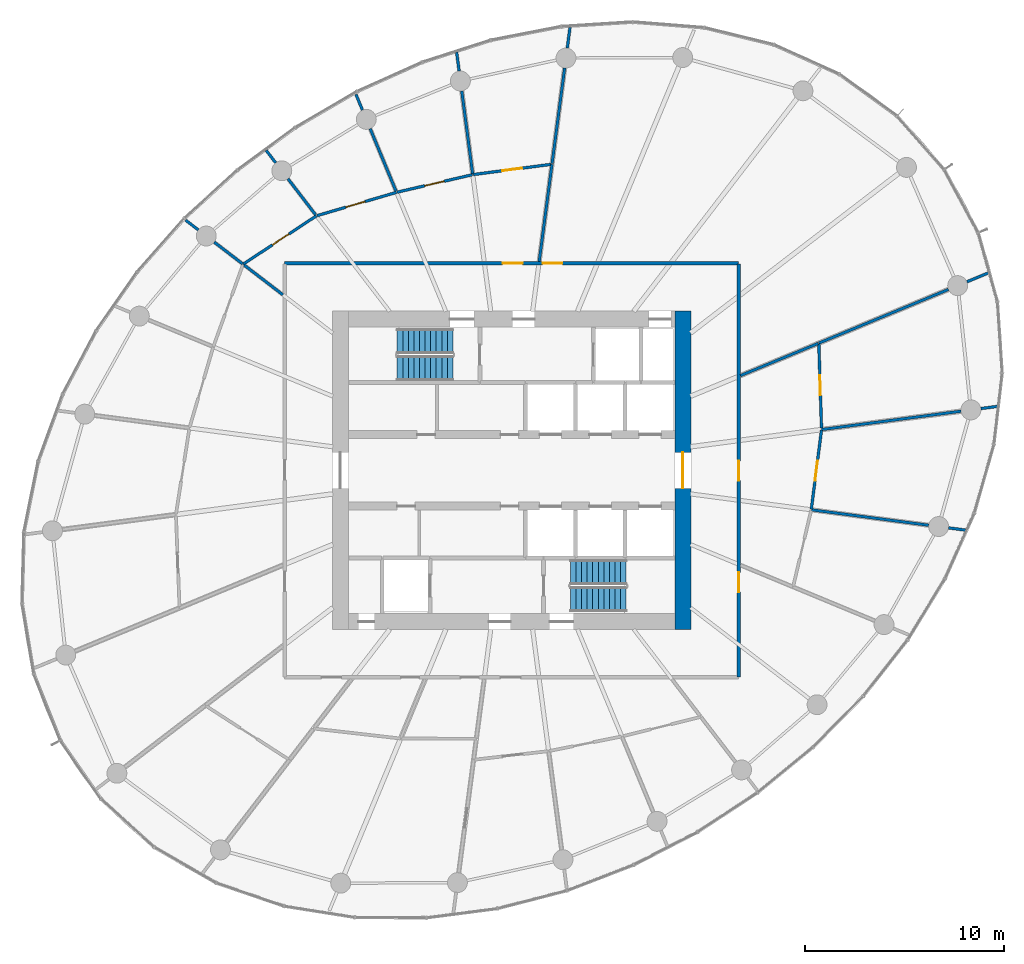
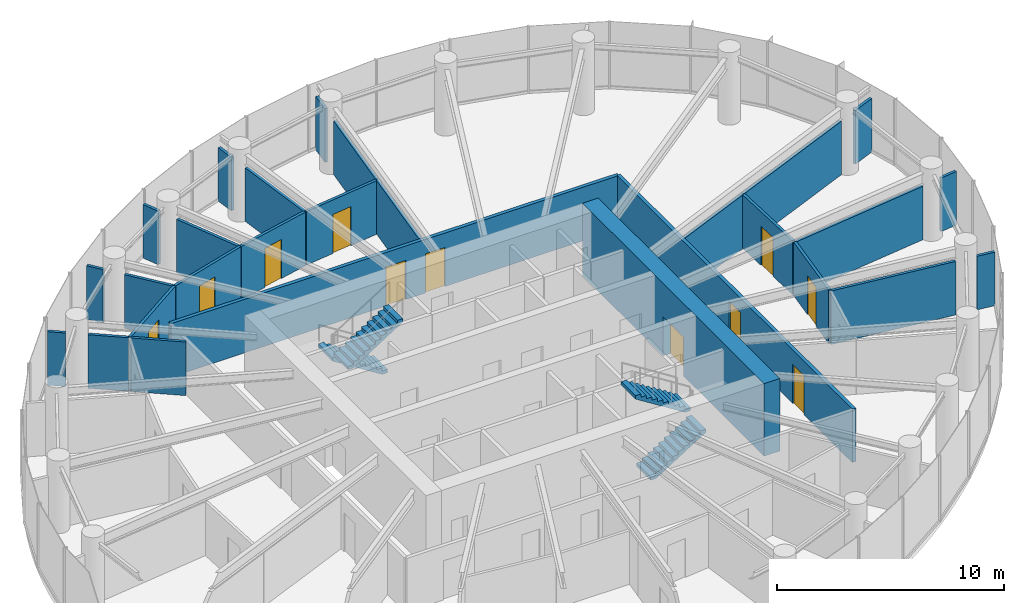
# One storey, part 11 of 14: 28 walls, 11 doors, 4 stair flights, 11 openings, 2 elements without a shape of their own.
"""IFC4 building model written with IfcOpenShell, lengths in metres."""

from ifc_helpers import new_model, si_unit, direction, frame, frame_2d, origin, place, context, subcontext, project, spatial, line, indexed_curve, rectangle, outline, extrude, source, transform, mapped, material, layer, layer_set, type_object, element, fill, aggregate, save


model = new_model("IFC4")

# Units and contexts
model_context = context("Model", 3, precision=1e-05, world=origin(), true_north=direction((0.0, 1.0)))
body_context = subcontext(model_context, "Body", "Model", "MODEL_VIEW")
ifc_project = project(units=[si_unit("LENGTHUNIT", "METRE"), si_unit("AREAUNIT", "SQUARE_METRE"), si_unit("VOLUMEUNIT", "CUBIC_METRE"), si_unit("PLANEANGLEUNIT", "RADIAN"), si_unit("MASSUNIT", "GRAM", prefix="KILO")], contexts=[model_context])

# Site, building, storey
site_placement = place(None, origin())
site = spatial("IfcSite", under=ifc_project, at=site_placement, CompositionType="ELEMENT")
building_placement = place(site_placement, origin())
building = spatial("IfcBuilding", under=site, at=building_placement, Name="Spindrift Exchange Tower", CompositionType="ELEMENT")
storey_placement = place(building_placement, frame((0.0, 0.0, 160.39990234375)))
storey = spatial("IfcBuildingStorey", under=building, at=storey_placement, Name="L38", CompositionType="ELEMENT", Elevation=160.39990234375)

# Wall, opening, door
ifc_material_1 = material(Name="Concrete 65 MPa", Category="concrete")
ifc_layer_1 = layer(ifc_material_1, 0.800048828125)
ifc_layer_set_1 = layer_set([ifc_layer_1], Name="RC Core Wall 800 Concrete 65 MPa")
wall_type_1 = type_object("IfcWallType", Name="RC Core Wall 800 Concrete 65 MPa", PredefinedType="SHEAR", material=ifc_layer_set_1)
wall_1_placement = place(storey_placement, frame((60.60009765625, 40.0, 0.0), z_axis=(0.0, 0.0, 1.0), x_axis=(0.0, 1.0, 0.0)))
wall_1 = element("IfcWall", 1, at=wall_1_placement, inside=storey, type_object=wall_type_1, Name="Core wall E L38", PredefinedType="SHEAR", context=body_context, shape_type="SweptSolid", body=[
    extrude(rectangle(XDim=16.0, YDim=0.800048828125, at=frame_2d((8.0, 0.0))), origin(), (0.0, 0.0, 1.0), 3.900146484375),
])
opening_1_placement = place(wall_1_placement, frame((7.10009765625, 0.0, 0.0)))
opening_1 = element("IfcOpeningElement", 2, at=opening_1_placement, cuts=wall_1, Name="Opening L38-D2", PredefinedType="OPENING", context=body_context, shape_type="SweptSolid", body=[
    extrude(rectangle(XDim=1.800048828125, YDim=2.10009765625, at=frame_2d((0.89990234375, 1.050048828125))), frame((0.0, 0.409912109375, 0.0), z_axis=(0.0, -1.0, 0.0), x_axis=(1.0, 0.0, 0.0)), (0.0, 0.0, 1.0), 0.820068359375),
])
ifc_material_2 = material(Name="Timber-core fire door", Category="wood")
door_type_1 = type_object("IfcDoorType", Name="DR-LOBBY-1800", OperationType="NOTDEFINED", PredefinedType="DOOR", material=ifc_material_2)
shared_shape_1 = source(origin(), body_context, "Body", "SweptSolid", [
    extrude(rectangle(XDim=1.800048828125, YDim=2.10009765625, at=frame_2d((0.89990234375, 1.050048828125))), frame((0.0, 0.02490234375, 0.0), z_axis=(0.0, -1.0, 0.0), x_axis=(1.0, 0.0, 0.0)), (0.0, 0.0, 1.0), 0.050048828125),
])
door_1_placement = place(opening_1_placement, origin())
door_1 = element("IfcDoor", 3, at=door_1_placement, inside=storey, type_object=door_type_1, Name="L38 Lobby door 2", OperationType="SINGLE_SWING_LEFT", OverallHeight=2.10009765625, OverallWidth=1.800048828125, PredefinedType="DOOR", context=body_context, shape_type="MappedRepresentation", body=[
    mapped(shared_shape_1, transform((0.0, 0.0, 0.0), scale=1.0)),
])
fill(opening_1, door_1)

# Wall, openings, doors
ifc_material_3 = material(Name="Fire-rated plasterboard partition", Category="gypsum")
ifc_layer_2 = layer(ifc_material_3, 0.179931640625)
ifc_layer_set_2 = layer_set([ifc_layer_2], Name="W-CORR-180")
wall_type_2 = type_object("IfcWallType", Name="W-CORR-180", PredefinedType="PARTITIONING", material=ifc_layer_set_2)
wall_2_placement = place(storey_placement, frame((40.60009765625, 58.39990234375, 0.0), z_axis=(0.0, 0.0, 1.0), x_axis=(1.0, 0.0, 0.0)))
wall_2 = element("IfcWall", 4, at=wall_2_placement, inside=storey, type_object=wall_type_2, Name="L38 Partition wall 27", PredefinedType="PARTITIONING", context=body_context, shape_type="SweptSolid", body=[
    extrude(rectangle(XDim=22.7998046875, YDim=0.179931640625, at=frame_2d((11.39990234375, 0.0))), origin(), (0.0, 0.0, 1.0), 2.880126953125),
])
opening_2_placement = place(wall_2_placement, frame((12.949951171875, 0.0, 0.0)))
opening_2 = element("IfcOpeningElement", 5, at=opening_2_placement, cuts=wall_2, Name="Opening L38-D31", PredefinedType="OPENING", context=body_context, shape_type="SweptSolid", body=[
    extrude(rectangle(XDim=1.0, YDim=2.10009765625, at=frame_2d((0.5, 1.050048828125))), frame((0.0, 0.099853515625, 0.0), z_axis=(0.0, -1.0, 0.0), x_axis=(1.0, 0.0, 0.0)), (0.0, 0.0, 1.0), 0.199951171875),
])
opening_3_placement = place(wall_2_placement, frame((10.949951171875, 0.0, 0.0)))
opening_3 = element("IfcOpeningElement", 6, at=opening_3_placement, cuts=wall_2, Name="Opening L38-D32", PredefinedType="OPENING", context=body_context, shape_type="SweptSolid", body=[
    extrude(rectangle(XDim=1.0, YDim=2.10009765625, at=frame_2d((0.5, 1.050048828125))), frame((0.0, 0.099853515625, 0.0), z_axis=(0.0, -1.0, 0.0), x_axis=(1.0, 0.0, 0.0)), (0.0, 0.0, 1.0), 0.199951171875),
])
door_type_2 = type_object("IfcDoorType", Name="DR-ROOM-1000", OperationType="NOTDEFINED", PredefinedType="DOOR", material=ifc_material_2)
shared_shape_2 = source(origin(), body_context, "Body", "SweptSolid", [
    extrude(rectangle(XDim=1.0, YDim=2.10009765625, at=frame_2d((0.5, 1.050048828125))), frame((0.0, 0.02490234375, 0.0), z_axis=(0.0, -1.0, 0.0), x_axis=(1.0, 0.0, 0.0)), (0.0, 0.0, 1.0), 0.050048828125),
])
door_2_placement = place(opening_2_placement, origin())
door_2 = element("IfcDoor", 7, at=door_2_placement, inside=storey, type_object=door_type_2, Name="L38 Door 31", OperationType="SINGLE_SWING_LEFT", OverallHeight=2.10009765625, OverallWidth=1.0, PredefinedType="DOOR", context=body_context, shape_type="MappedRepresentation", body=[
    mapped(shared_shape_2, transform((0.0, 0.0, 0.0), scale=1.0)),
])
fill(opening_2, door_2)
door_3_placement = place(opening_3_placement, origin())
door_3 = element("IfcDoor", 8, at=door_3_placement, inside=storey, type_object=door_type_2, Name="L38 Door 32", OperationType="SINGLE_SWING_RIGHT", OverallHeight=2.10009765625, OverallWidth=1.0, PredefinedType="DOOR", context=body_context, shape_type="MappedRepresentation", body=[
    mapped(shared_shape_2, transform((0.0, 0.0, 0.0), scale=1.0)),
])
fill(opening_3, door_3)

wall_3_placement = place(storey_placement, frame((63.39990234375, 58.3701171875, 0.0), z_axis=(0.0, 0.0, 1.0), x_axis=(0.0, -1.0, 0.0)))
wall_3 = element("IfcWall", 9, at=wall_3_placement, inside=storey, type_object=wall_type_2, Name="L38 Partition wall 29", PredefinedType="PARTITIONING", context=body_context, shape_type="SweptSolid", body=[
    extrude(rectangle(XDim=20.740234375, YDim=0.179931640625, at=frame_2d((10.3701171875, 0.0))), origin(), (0.0, 0.0, 1.0), 2.880126953125),
])
opening_4_placement = place(wall_3_placement, frame((15.489990234375, 0.0, 0.0)))
opening_4 = element("IfcOpeningElement", 10, at=opening_4_placement, cuts=wall_3, Name="Opening L38-D26", PredefinedType="OPENING", context=body_context, shape_type="SweptSolid", body=[
    extrude(rectangle(XDim=1.0, YDim=2.10009765625, at=frame_2d((0.5, 1.050048828125))), frame((0.0, 0.099853515625, 0.0), z_axis=(0.0, -1.0, 0.0), x_axis=(1.0, 0.0, 0.0)), (0.0, 0.0, 1.0), 0.199951171875),
])
opening_5_placement = place(wall_3_placement, frame((9.889892578125, 0.0, 0.0)))
opening_5 = element("IfcOpeningElement", 11, at=opening_5_placement, cuts=wall_3, Name="Opening L38-D27", PredefinedType="OPENING", context=body_context, shape_type="SweptSolid", body=[
    extrude(rectangle(XDim=1.0, YDim=2.10009765625, at=frame_2d((0.5, 1.050048828125))), frame((0.0, 0.099853515625, 0.0), z_axis=(0.0, -1.0, 0.0), x_axis=(1.0, 0.0, 0.0)), (0.0, 0.0, 1.0), 0.199951171875),
])
door_4_placement = place(opening_4_placement, origin())
door_4 = element("IfcDoor", 12, at=door_4_placement, inside=storey, type_object=door_type_2, Name="L38 Door 26", OperationType="SINGLE_SWING_RIGHT", OverallHeight=2.10009765625, OverallWidth=1.0, PredefinedType="DOOR", context=body_context, shape_type="MappedRepresentation", body=[
    mapped(shared_shape_2, transform((0.0, 0.0, 0.0), scale=1.0)),
])
fill(opening_4, door_4)
door_5_placement = place(opening_5_placement, origin())
door_5 = element("IfcDoor", 13, at=door_5_placement, inside=storey, type_object=door_type_2, Name="L38 Door 27", OperationType="SINGLE_SWING_LEFT", OverallHeight=2.10009765625, OverallWidth=1.0, PredefinedType="DOOR", context=body_context, shape_type="MappedRepresentation", body=[
    mapped(shared_shape_2, transform((0.0, 0.0, 0.0), scale=1.0)),
])
fill(opening_5, door_5)

# Walls
ifc_layer_3 = layer(ifc_material_3, 0.139892578125)
ifc_layer_set_3 = layer_set([ifc_layer_3], Name="W-PART-140")
wall_type_3 = type_object("IfcWallType", Name="W-PART-140", PredefinedType="PARTITIONING", material=ifc_layer_set_3)
wall_4_placement = place(storey_placement, frame((67.56103515625, 50.048583984375, 0.0), z_axis=(0.0, 0.0, 1.0), x_axis=(0.991446056041, 0.130517117504, 0.0)))
element("IfcWall", 14, at=wall_4_placement, inside=storey, type_object=wall_type_3, Name="L38 Partition wall 31", PredefinedType="PARTITIONING", context=body_context, shape_type="SweptSolid", body=[
    extrude(rectangle(XDim=7.061279296875, YDim=0.139892578125, at=frame_2d((3.53076171875, 0.0))), origin(), (0.0, 0.0, 1.0), 2.880126953125),
])
wall_5_placement = place(storey_placement, frame((67.422607421875, 54.38818359375, 0.0), z_axis=(0.0, 0.0, 1.0), x_axis=(0.923877847589, 0.382687500102, 0.0)))
element("IfcWall", 15, at=wall_5_placement, inside=storey, type_object=wall_type_3, Name="L38 Partition wall 32", PredefinedType="PARTITIONING", context=body_context, shape_type="SweptSolid", body=[
    extrude(rectangle(XDim=7.043701171875, YDim=0.139892578125, at=frame_2d((3.52197265625, 0.0))), origin(), (0.0, 0.0, 1.0), 2.880126953125),
])
wall_6_placement = place(storey_placement, frame((67.043701171875, 46.019287109375, 0.0), z_axis=(0.0, 0.0, 1.0), x_axis=(0.991450523091, -0.13048318, 0.0)))
element("IfcWall", 16, at=wall_6_placement, inside=storey, type_object=wall_type_3, Name="L38 Partition wall 33", PredefinedType="PARTITIONING", context=body_context, shape_type="SweptSolid", body=[
    extrude(rectangle(XDim=5.947998046875, YDim=0.139892578125, at=frame_2d((2.97412109375, 0.0))), origin(), (0.0, 0.0, 1.0), 2.880126953125),
])
wall_7_placement = place(storey_placement, frame((53.381103515625, 58.489990234375, 0.0), z_axis=(0.0, 0.0, 1.0), x_axis=(0.130523758186, 0.991445181817, 0.0)))
element("IfcWall", 17, at=wall_7_placement, inside=storey, type_object=wall_type_3, Name="L38 Partition wall 42", PredefinedType="PARTITIONING", context=body_context, shape_type="SweptSolid", body=[
    extrude(rectangle(XDim=4.925048828125, YDim=0.139892578125, at=frame_2d((2.46240234375, 0.0))), origin(), (0.0, 0.0, 1.0), 2.880126953125),
])
wall_8_placement = place(storey_placement, frame((54.02783203125, 63.40234375, 0.0), z_axis=(0.0, 0.0, 1.0), x_axis=(0.130532734851, 0.991443999998, 0.0)))
element("IfcWall", 18, at=wall_8_placement, inside=storey, type_object=wall_type_3, Name="L38 Partition wall 44", PredefinedType="PARTITIONING", context=body_context, shape_type="SweptSolid", body=[
    extrude(rectangle(XDim=4.84423828125, YDim=0.139892578125, at=frame_2d((2.422119140625, 0.0))), origin(), (0.0, 0.0, 1.0), 2.880126953125),
])

# Wall, opening, door
wall_9_placement = place(storey_placement, frame((38.510986328125, 58.3505859375, 0.0), z_axis=(0.0, 0.0, 1.0), x_axis=(0.834612459485, 0.550837582662, 0.0)))
wall_9 = element("IfcWall", 19, at=wall_9_placement, inside=storey, type_object=wall_type_3, Name="L38 Partition wall 48", PredefinedType="PARTITIONING", context=body_context, shape_type="SweptSolid", body=[
    extrude(rectangle(XDim=4.411865234375, YDim=0.139892578125, at=frame_2d((2.2060546875, 0.0))), origin(), (0.0, 0.0, 1.0), 2.880126953125),
])
opening_6_placement = place(wall_9_placement, frame((1.76171875, 0.0, 0.0)))
opening_6 = element("IfcOpeningElement", 20, at=opening_6_placement, cuts=wall_9, Name="Opening L38-D36", PredefinedType="OPENING", context=body_context, shape_type="SweptSolid", body=[
    extrude(rectangle(XDim=1.0, YDim=2.10009765625, at=frame_2d((0.5, 1.050048828125))), frame((0.0, 0.079833984375, 0.0), z_axis=(0.0, -1.0, 0.0), x_axis=(1.0, 0.0, 0.0)), (0.0, 0.0, 1.0), 0.159912109375),
])
door_6_placement = place(opening_6_placement, origin())
door_6 = element("IfcDoor", 21, at=door_6_placement, inside=storey, type_object=door_type_2, Name="L38 Door 36", OperationType="SINGLE_SWING_RIGHT", OverallHeight=2.10009765625, OverallWidth=1.0, PredefinedType="DOOR", context=body_context, shape_type="MappedRepresentation", body=[
    mapped(shared_shape_2, transform((0.0, 0.0, 0.0), scale=1.0)),
])
fill(opening_6, door_6)

# Wall
wall_10_placement = place(storey_placement, frame((63.489990234375, 52.75927734375, 0.0), z_axis=(0.0, 0.0, 1.0), x_axis=(0.923878137975, 0.382686799055, 0.0)))
element("IfcWall", 22, at=wall_10_placement, inside=storey, type_object=wall_type_3, Name="L38 Partition wall 52", PredefinedType="PARTITIONING", context=body_context, shape_type="SweptSolid", body=[
    extrude(rectangle(XDim=4.2265625, YDim=0.139892578125, at=frame_2d((2.11328125, 0.0))), origin(), (0.0, 0.0, 1.0), 2.880126953125),
])

# Wall, opening, door
wall_11_placement = place(storey_placement, frame((67.423583984375, 54.3583984375, 0.0), z_axis=(0.0, 0.0, 1.0), x_axis=(0.031887030208, -0.999491479356, 0.0)))
wall_11 = element("IfcWall", 23, at=wall_11_placement, inside=storey, type_object=wall_type_3, Name="L38 Partition wall 53", PredefinedType="PARTITIONING", context=body_context, shape_type="SweptSolid", body=[
    extrude(rectangle(XDim=4.24169921875, YDim=0.139892578125, at=frame_2d((2.120849609375, 0.0))), origin(), (0.0, 0.0, 1.0), 2.880126953125),
])
opening_7_placement = place(wall_11_placement, frame((1.591552734375, 0.0, 0.0)))
opening_7 = element("IfcOpeningElement", 24, at=opening_7_placement, cuts=wall_11, Name="Opening L38-D30", PredefinedType="OPENING", context=body_context, shape_type="SweptSolid", body=[
    extrude(rectangle(XDim=1.0, YDim=2.10009765625, at=frame_2d((0.5, 1.050048828125))), frame((0.0, 0.079833984375, 0.0), z_axis=(0.0, -1.0, 0.0), x_axis=(1.0, 0.0, 0.0)), (0.0, 0.0, 1.0), 0.159912109375),
])
door_7_placement = place(opening_7_placement, origin())
door_7 = element("IfcDoor", 25, at=door_7_placement, inside=storey, type_object=door_type_2, Name="L38 Door 30", OperationType="SINGLE_SWING_RIGHT", OverallHeight=2.10009765625, OverallWidth=1.0, PredefinedType="DOOR", context=body_context, shape_type="MappedRepresentation", body=[
    mapped(shared_shape_2, transform((0.0, 0.0, 0.0), scale=1.0)),
])
fill(opening_7, door_7)

# Wall
wall_12_placement = place(storey_placement, frame((50.044921875, 62.850341796875, 0.0), z_axis=(0.0, 0.0, 1.0), x_axis=(-0.130506679213, 0.991447430115, 0.0)))
element("IfcWall", 26, at=wall_12_placement, inside=storey, type_object=wall_type_3, Name="L38 Partition wall 55", PredefinedType="PARTITIONING", context=body_context, shape_type="SweptSolid", body=[
    extrude(rectangle(XDim=4.237060546875, YDim=0.139892578125, at=frame_2d((2.11865234375, 0.0))), origin(), (0.0, 0.0, 1.0), 2.880126953125),
])

# Wall, opening, door
wall_13_placement = place(storey_placement, frame((42.2216796875, 60.789306640625, 0.0), z_axis=(0.0, 0.0, 1.0), x_axis=(0.959559478974, 0.281505961415, 0.0)))
wall_13 = element("IfcWall", 27, at=wall_13_placement, inside=storey, type_object=wall_type_3, Name="L38 Partition wall 56", PredefinedType="PARTITIONING", context=body_context, shape_type="SweptSolid", body=[
    extrude(rectangle(XDim=4.163818359375, YDim=0.139892578125, at=frame_2d((2.08203125, 0.0))), origin(), (0.0, 0.0, 1.0), 2.880126953125),
])
opening_8_placement = place(wall_13_placement, frame((1.513671875, 0.0, 0.0)))
opening_8 = element("IfcOpeningElement", 28, at=opening_8_placement, cuts=wall_13, Name="Opening L38-D35", PredefinedType="OPENING", context=body_context, shape_type="SweptSolid", body=[
    extrude(rectangle(XDim=1.0, YDim=2.10009765625, at=frame_2d((0.5, 1.050048828125))), frame((0.0, 0.079833984375, 0.0), z_axis=(0.0, -1.0, 0.0), x_axis=(1.0, 0.0, 0.0)), (0.0, 0.0, 1.0), 0.159912109375),
])
door_8_placement = place(opening_8_placement, origin())
door_8 = element("IfcDoor", 29, at=door_8_placement, inside=storey, type_object=door_type_2, Name="L38 Door 35", OperationType="SINGLE_SWING_LEFT", OverallHeight=2.10009765625, OverallWidth=1.0, PredefinedType="DOOR", context=body_context, shape_type="MappedRepresentation", body=[
    mapped(shared_shape_2, transform((0.0, 0.0, 0.0), scale=1.0)),
])
fill(opening_8, door_8)

wall_14_placement = place(storey_placement, frame((67.557373046875, 50.018798828125, 0.0), z_axis=(0.0, 0.0, 1.0), x_axis=(-0.127375141881, -0.99185461295, 0.0)))
wall_14 = element("IfcWall", 30, at=wall_14_placement, inside=storey, type_object=wall_type_3, Name="L38 Partition wall 59", PredefinedType="PARTITIONING", context=body_context, shape_type="SweptSolid", body=[
    extrude(rectangle(XDim=4.002197265625, YDim=0.139892578125, at=frame_2d((2.0009765625, 0.0))), origin(), (0.0, 0.0, 1.0), 2.880126953125),
])
opening_9_placement = place(wall_14_placement, frame((1.55224609375, 0.0, 0.0)))
opening_9 = element("IfcOpeningElement", 31, at=opening_9_placement, cuts=wall_14, Name="Opening L38-D29", PredefinedType="OPENING", context=body_context, shape_type="SweptSolid", body=[
    extrude(rectangle(XDim=1.0, YDim=2.10009765625, at=frame_2d((0.5, 1.050048828125))), frame((0.0, 0.079833984375, 0.0), z_axis=(0.0, -1.0, 0.0), x_axis=(1.0, 0.0, 0.0)), (0.0, 0.0, 1.0), 0.159912109375),
])
door_9_placement = place(opening_9_placement, origin())
door_9 = element("IfcDoor", 32, at=door_9_placement, inside=storey, type_object=door_type_2, Name="L38 Door 29", OperationType="SINGLE_SWING_LEFT", OverallHeight=2.10009765625, OverallWidth=1.0, PredefinedType="DOOR", context=body_context, shape_type="MappedRepresentation", body=[
    mapped(shared_shape_2, transform((0.0, 0.0, 0.0), scale=1.0)),
])
fill(opening_9, door_9)

wall_15_placement = place(storey_placement, frame((50.07470703125, 62.854248046875, 0.0), z_axis=(0.0, 0.0, 1.0), x_axis=(0.991491442794, 0.130171882012, 0.0)))
wall_15 = element("IfcWall", 33, at=wall_15_placement, inside=storey, type_object=wall_type_3, Name="L38 Partition wall 60", PredefinedType="PARTITIONING", context=body_context, shape_type="SweptSolid", body=[
    extrude(rectangle(XDim=3.910400390625, YDim=0.139892578125, at=frame_2d((1.955078125, 0.0))), origin(), (0.0, 0.0, 1.0), 2.880126953125),
])
opening_10_placement = place(wall_15_placement, frame((1.460693359375, 0.0, 0.0)))
opening_10 = element("IfcOpeningElement", 34, at=opening_10_placement, cuts=wall_15, Name="Opening L38-D33", PredefinedType="OPENING", context=body_context, shape_type="SweptSolid", body=[
    extrude(rectangle(XDim=1.0, YDim=2.10009765625, at=frame_2d((0.5, 1.050048828125))), frame((0.0, 0.079833984375, 0.0), z_axis=(0.0, -1.0, 0.0), x_axis=(1.0, 0.0, 0.0)), (0.0, 0.0, 1.0), 0.159912109375),
])
door_10_placement = place(opening_10_placement, origin())
door_10 = element("IfcDoor", 35, at=door_10_placement, inside=storey, type_object=door_type_2, Name="L38 Door 33", OperationType="SINGLE_SWING_LEFT", OverallHeight=2.10009765625, OverallWidth=1.0, PredefinedType="DOOR", context=body_context, shape_type="MappedRepresentation", body=[
    mapped(shared_shape_2, transform((0.0, 0.0, 0.0), scale=1.0)),
])
fill(opening_10, door_10)

wall_16_placement = place(storey_placement, frame((46.24609375, 61.96826171875, 0.0), z_axis=(0.0, 0.0, 1.0), x_axis=(0.974087273118, 0.226172465941, 0.0)))
wall_16 = element("IfcWall", 36, at=wall_16_placement, inside=storey, type_object=wall_type_3, Name="L38 Partition wall 62", PredefinedType="PARTITIONING", context=body_context, shape_type="SweptSolid", body=[
    extrude(rectangle(XDim=3.869873046875, YDim=0.139892578125, at=frame_2d((1.93505859375, 0.0))), origin(), (0.0, 0.0, 1.0), 2.880126953125),
])
opening_11_placement = place(wall_16_placement, frame((1.419921875, 0.0, 0.0)))
opening_11 = element("IfcOpeningElement", 37, at=opening_11_placement, cuts=wall_16, Name="Opening L38-D34", PredefinedType="OPENING", context=body_context, shape_type="SweptSolid", body=[
    extrude(rectangle(XDim=1.0, YDim=2.10009765625, at=frame_2d((0.5, 1.050048828125))), frame((0.0, 0.079833984375, 0.0), z_axis=(0.0, -1.0, 0.0), x_axis=(1.0, 0.0, 0.0)), (0.0, 0.0, 1.0), 0.159912109375),
])
door_11_placement = place(opening_11_placement, origin())
door_11 = element("IfcDoor", 38, at=door_11_placement, inside=storey, type_object=door_type_2, Name="L38 Door 34", OperationType="SINGLE_SWING_RIGHT", OverallHeight=2.10009765625, OverallWidth=1.0, PredefinedType="DOOR", context=body_context, shape_type="MappedRepresentation", body=[
    mapped(shared_shape_2, transform((0.0, 0.0, 0.0), scale=1.0)),
])
fill(opening_11, door_11)

# Walls
wall_17_placement = place(storey_placement, frame((46.18994140625, 62.026611328125, 0.0), z_axis=(0.0, 0.0, 1.0), x_axis=(-0.382697308523, 0.923873784696, 0.0)))
element("IfcWall", 39, at=wall_17_placement, inside=storey, type_object=wall_type_3, Name="L38 Partition wall 67", PredefinedType="PARTITIONING", context=body_context, shape_type="SweptSolid", body=[
    extrude(rectangle(XDim=3.390625, YDim=0.139892578125, at=frame_2d((1.6953125, 0.0))), origin(), (0.0, 0.0, 1.0), 2.880126953125),
])
wall_18_placement = place(storey_placement, frame((40.510009765625, 56.816650390625, 0.0), z_axis=(0.0, 0.0, 1.0), x_axis=(-0.793387804713, 0.608716511467, 0.0)))
element("IfcWall", 40, at=wall_18_placement, inside=storey, type_object=wall_type_3, Name="L38 Partition wall 72", PredefinedType="PARTITIONING", context=body_context, shape_type="SweptSolid", body=[
    extrude(rectangle(XDim=2.44580078125, YDim=0.139892578125, at=frame_2d((1.222900390625, 0.0))), origin(), (0.0, 0.0, 1.0), 2.880126953125),
])
wall_19_placement = place(storey_placement, frame((42.150390625, 60.83642578125, 0.0), z_axis=(0.0, 0.0, 1.0), x_axis=(-0.608757629388, 0.793356255828, 0.0)))
element("IfcWall", 41, at=wall_19_placement, inside=storey, type_object=wall_type_3, Name="L38 Partition wall 76", PredefinedType="PARTITIONING", context=body_context, shape_type="SweptSolid", body=[
    extrude(rectangle(XDim=2.27880859375, YDim=0.139892578125, at=frame_2d((1.139404296875, 0.0))), origin(), (0.0, 0.0, 1.0), 2.880126953125),
])
wall_20_placement = place(storey_placement, frame((38.487060546875, 58.368896484375, 0.0), z_axis=(0.0, 0.0, 1.0), x_axis=(-0.793336842099, 0.608782929269, 0.0)))
element("IfcWall", 42, at=wall_20_placement, inside=storey, type_object=wall_type_3, Name="L38 Partition wall 78", PredefinedType="PARTITIONING", context=body_context, shape_type="SweptSolid", body=[
    extrude(rectangle(XDim=1.793701171875, YDim=0.139892578125, at=frame_2d((0.89697265625, 0.0))), origin(), (0.0, 0.0, 1.0), 2.880126953125),
])
wall_21_placement = place(storey_placement, frame((74.86328125, 57.47021484375, 0.0), z_axis=(0.0, 0.0, 1.0), x_axis=(0.923882723383, 0.382675728829, 0.0)))
element("IfcWall", 43, at=wall_21_placement, inside=storey, type_object=wall_type_3, Name="L38 Partition wall 80", PredefinedType="PARTITIONING", context=body_context, shape_type="SweptSolid", body=[
    extrude(rectangle(XDim=1.1982421875, YDim=0.139892578125, at=frame_2d((0.59912109375, 0.0))), origin(), (0.0, 0.0, 1.0), 2.880126953125),
])
wall_22_placement = place(storey_placement, frame((54.791748046875, 69.205322265625, 0.0), z_axis=(0.0, 0.0, 1.0), x_axis=(0.130569518357, 0.991439156417, 0.0)))
element("IfcWall", 44, at=wall_22_placement, inside=storey, type_object=wall_type_3, Name="L38 Partition wall 83", PredefinedType="PARTITIONING", context=body_context, shape_type="SweptSolid", body=[
    extrude(rectangle(XDim=1.04345703125, YDim=0.139892578125, at=frame_2d((0.521728515625, 0.0))), origin(), (0.0, 0.0, 1.0), 2.880126953125),
])
wall_23_placement = place(storey_placement, frame((49.360107421875, 68.051513671875, 0.0), z_axis=(0.0, 0.0, 1.0), x_axis=(-0.130434626054, 0.991456911987, 0.0)))
element("IfcWall", 45, at=wall_23_placement, inside=storey, type_object=wall_type_3, Name="L38 Partition wall 86", PredefinedType="PARTITIONING", context=body_context, shape_type="SweptSolid", body=[
    extrude(rectangle(XDim=0.95263671875, YDim=0.139892578125, at=frame_2d((0.476318359375, 0.0))), origin(), (0.0, 0.0, 1.0), 2.880126953125),
])
wall_24_placement = place(storey_placement, frame((73.941162109375, 45.111328125, 0.0), z_axis=(0.0, 0.0, 1.0), x_axis=(0.991446500326, -0.130513742537, 0.0)))
element("IfcWall", 46, at=wall_24_placement, inside=storey, type_object=wall_type_3, Name="L38 Partition wall 88", PredefinedType="PARTITIONING", context=body_context, shape_type="SweptSolid", body=[
    extrude(rectangle(XDim=0.85302734375, YDim=0.139892578125, at=frame_2d((0.426513671875, 0.0))), origin(), (0.0, 0.0, 1.0), 2.880126953125),
])
wall_25_placement = place(storey_placement, frame((44.505859375, 66.09228515625, 0.0), z_axis=(0.0, 0.0, 1.0), x_axis=(-0.382722863119, 0.923863198772, 0.0)))
element("IfcWall", 47, at=wall_25_placement, inside=storey, type_object=wall_type_3, Name="L38 Partition wall 89", PredefinedType="PARTITIONING", context=body_context, shape_type="SweptSolid", body=[
    extrude(rectangle(XDim=0.852294921875, YDim=0.139892578125, at=frame_2d((0.42626953125, 0.0))), origin(), (0.0, 0.0, 1.0), 2.880126953125),
])
wall_26_placement = place(storey_placement, frame((75.56201171875, 51.10205078125, 0.0), z_axis=(0.0, 0.0, 1.0), x_axis=(0.991432738393, 0.130618242377, 0.0)))
element("IfcWall", 48, at=wall_26_placement, inside=storey, type_object=wall_type_3, Name="L38 Partition wall 91", PredefinedType="PARTITIONING", context=body_context, shape_type="SweptSolid", body=[
    extrude(rectangle(XDim=0.8486328125, YDim=0.139892578125, at=frame_2d((0.42431640625, 0.0))), origin(), (0.0, 0.0, 1.0), 2.880126953125),
])
wall_27_placement = place(storey_placement, frame((36.263427734375, 60.0751953125, 0.0), z_axis=(0.0, 0.0, 1.0), x_axis=(-0.793425360376, 0.608667559109, 0.0)))
element("IfcWall", 49, at=wall_27_placement, inside=storey, type_object=wall_type_3, Name="L38 Partition wall 96", PredefinedType="PARTITIONING", context=body_context, shape_type="SweptSolid", body=[
    extrude(rectangle(XDim=0.803466796875, YDim=0.139892578125, at=frame_2d((0.40185546875, 0.0))), origin(), (0.0, 0.0, 1.0), 2.880126953125),
])
wall_28_placement = place(storey_placement, frame((40.14892578125, 63.444580078125, 0.0), z_axis=(0.0, 0.0, 1.0), x_axis=(-0.608659697441, 0.793431391307, 0.0)))
element("IfcWall", 50, at=wall_28_placement, inside=storey, type_object=wall_type_3, Name="L38 Partition wall 98", PredefinedType="PARTITIONING", context=body_context, shape_type="SweptSolid", body=[
    extrude(rectangle(XDim=0.7861328125, YDim=0.139892578125, at=frame_2d((0.39306640625, 0.0))), origin(), (0.0, 0.0, 1.0), 2.880126953125),
])

# Stair, stair flights
ifc_material_4 = material(Name="Concrete 50 MPa", Category="concrete")
stair_type = type_object("IfcStairType", Name="ST-1250-R177", PredefinedType="HALF_TURN_STAIR", material=ifc_material_4)
stair_1_placement = place(storey_placement, origin())
stair_1 = element("IfcStair", 51, at=stair_1_placement, inside=storey, type_object=stair_type, Name="L38 Exit stair ST1", PredefinedType="HALF_TURN_STAIR")
stair_flight_type = type_object("IfcStairFlightType", Name="STF-1250-R177", PredefinedType="STRAIGHT", material=ifc_material_4)
stair_flight_1_placement = place(storey_placement, frame((49.050048828125, 54.47509765625, 0.0), z_axis=(0.0, 0.0, 1.0), x_axis=(-1.0, 0.0, 0.0)))
stair_flight_1 = element("IfcStairFlight", 52, at=stair_flight_1_placement, type_object=stair_flight_type, Name="ST1 flight 1", NumberOfRisers=11, NumberOfTreads=10, PredefinedType="STRAIGHT", RiserHeight=0.177272727, TreadLength=0.28, context=body_context, shape_type="SweptSolid", body=[
    extrude(outline(indexed_curve([(0.0, 0.0), (0.0, 0.177734375), (0.2802734375, 0.177734375), (0.2802734375, 0.3544921875), (0.5595703125, 0.3544921875), (0.5595703125, 0.5322265625), (0.83984375, 0.5322265625), (0.83984375, 0.708984375), (1.1201171875, 0.708984375), (1.1201171875, 0.88671875), (1.400390625, 0.88671875), (1.400390625, 1.0634765625), (1.6796875, 1.0634765625), (1.6796875, 1.2412109375), (1.9599609375, 1.2412109375), (1.9599609375, 1.41796875), (2.240234375, 1.41796875), (2.240234375, 1.595703125), (2.51953125, 1.595703125), (2.51953125, 1.7724609375), (2.7998046875, 1.7724609375), (2.7998046875, 1.9501953125), (2.7998046875, 1.595703125), (0.2802734375, 0.0)], segments=[line(1, 2, 3, 4, 5, 6, 7, 8, 9, 10, 11, 12, 13, 14, 15, 16, 17, 18, 19, 20, 21, 22, 23, 24, 1)], self_intersect=False)), frame((0.0, 0.625, 0.0), z_axis=(0.0, -1.0, 0.0), x_axis=(1.0, 0.0, 0.0)), (0.0, 0.0, 1.0), 1.25),
])
stair_flight_2_placement = place(storey_placement, frame((46.25, 53.125, 1.9501953125), z_axis=(0.0, 0.0, 1.0), x_axis=(1.0, 0.0, 0.0)))
stair_flight_2 = element("IfcStairFlight", 53, at=stair_flight_2_placement, type_object=stair_flight_type, Name="ST1 flight 2", NumberOfRisers=11, NumberOfTreads=10, PredefinedType="STRAIGHT", RiserHeight=0.177272727, TreadLength=0.28, context=body_context, shape_type="SweptSolid", body=[
    extrude(outline(indexed_curve([(0.0, 0.0), (0.0, 0.177734375), (0.2802734375, 0.177734375), (0.2802734375, 0.3544921875), (0.5595703125, 0.3544921875), (0.5595703125, 0.5322265625), (0.83984375, 0.5322265625), (0.83984375, 0.708984375), (1.1201171875, 0.708984375), (1.1201171875, 0.88671875), (1.400390625, 0.88671875), (1.400390625, 1.0634765625), (1.6796875, 1.0634765625), (1.6796875, 1.2412109375), (1.9599609375, 1.2412109375), (1.9599609375, 1.41796875), (2.240234375, 1.41796875), (2.240234375, 1.595703125), (2.51953125, 1.595703125), (2.51953125, 1.7724609375), (2.7998046875, 1.7724609375), (2.7998046875, 1.9501953125), (2.7998046875, 1.595703125), (0.2802734375, 0.0)], segments=[line(1, 2, 3, 4, 5, 6, 7, 8, 9, 10, 11, 12, 13, 14, 15, 16, 17, 18, 19, 20, 21, 22, 23, 24, 1)], self_intersect=False)), frame((0.0, 0.625, 0.0), z_axis=(0.0, -1.0, 0.0), x_axis=(1.0, 0.0, 0.0)), (0.0, 0.0, 1.0), 1.25),
])
aggregate(stair_1, [stair_flight_1, stair_flight_2])

stair_2_placement = place(storey_placement, origin())
stair_2 = element("IfcStair", 54, at=stair_2_placement, inside=storey, type_object=stair_type, Name="L38 Exit stair ST2", PredefinedType="HALF_TURN_STAIR")
stair_flight_3_placement = place(storey_placement, frame((54.949951171875, 41.52490234375, 0.0), z_axis=(0.0, 0.0, 1.0), x_axis=(1.0, 0.0, 0.0)))
stair_flight_3 = element("IfcStairFlight", 55, at=stair_flight_3_placement, type_object=stair_flight_type, Name="ST2 flight 1", NumberOfRisers=11, NumberOfTreads=10, PredefinedType="STRAIGHT", RiserHeight=0.177272727, TreadLength=0.28, context=body_context, shape_type="SweptSolid", body=[
    extrude(outline(indexed_curve([(0.0, 0.0), (0.0, 0.177734375), (0.2802734375, 0.177734375), (0.2802734375, 0.3544921875), (0.5595703125, 0.3544921875), (0.5595703125, 0.5322265625), (0.83984375, 0.5322265625), (0.83984375, 0.708984375), (1.1201171875, 0.708984375), (1.1201171875, 0.88671875), (1.400390625, 0.88671875), (1.400390625, 1.0634765625), (1.6796875, 1.0634765625), (1.6796875, 1.2412109375), (1.9599609375, 1.2412109375), (1.9599609375, 1.41796875), (2.240234375, 1.41796875), (2.240234375, 1.595703125), (2.51953125, 1.595703125), (2.51953125, 1.7724609375), (2.7998046875, 1.7724609375), (2.7998046875, 1.9501953125), (2.7998046875, 1.595703125), (0.2802734375, 0.0)], segments=[line(1, 2, 3, 4, 5, 6, 7, 8, 9, 10, 11, 12, 13, 14, 15, 16, 17, 18, 19, 20, 21, 22, 23, 24, 1)], self_intersect=False)), frame((0.0, 0.625, 0.0), z_axis=(0.0, -1.0, 0.0), x_axis=(1.0, 0.0, 0.0)), (0.0, 0.0, 1.0), 1.25),
])
stair_flight_4_placement = place(storey_placement, frame((57.75, 42.875, 1.9501953125), z_axis=(0.0, 0.0, 1.0), x_axis=(-1.0, 0.0, 0.0)))
stair_flight_4 = element("IfcStairFlight", 56, at=stair_flight_4_placement, type_object=stair_flight_type, Name="ST2 flight 2", NumberOfRisers=11, NumberOfTreads=10, PredefinedType="STRAIGHT", RiserHeight=0.177272727, TreadLength=0.28, context=body_context, shape_type="SweptSolid", body=[
    extrude(outline(indexed_curve([(0.0, 0.0), (0.0, 0.177734375), (0.2802734375, 0.177734375), (0.2802734375, 0.3544921875), (0.5595703125, 0.3544921875), (0.5595703125, 0.5322265625), (0.83984375, 0.5322265625), (0.83984375, 0.708984375), (1.1201171875, 0.708984375), (1.1201171875, 0.88671875), (1.400390625, 0.88671875), (1.400390625, 1.0634765625), (1.6796875, 1.0634765625), (1.6796875, 1.2412109375), (1.9599609375, 1.2412109375), (1.9599609375, 1.41796875), (2.240234375, 1.41796875), (2.240234375, 1.595703125), (2.51953125, 1.595703125), (2.51953125, 1.7724609375), (2.7998046875, 1.7724609375), (2.7998046875, 1.9501953125), (2.7998046875, 1.595703125), (0.2802734375, 0.0)], segments=[line(1, 2, 3, 4, 5, 6, 7, 8, 9, 10, 11, 12, 13, 14, 15, 16, 17, 18, 19, 20, 21, 22, 23, 24, 1)], self_intersect=False)), frame((0.0, 0.625, 0.0), z_axis=(0.0, -1.0, 0.0), x_axis=(1.0, 0.0, 0.0)), (0.0, 0.0, 1.0), 1.25),
])
aggregate(stair_2, [stair_flight_3, stair_flight_4])

save(model, "model.ifc")
